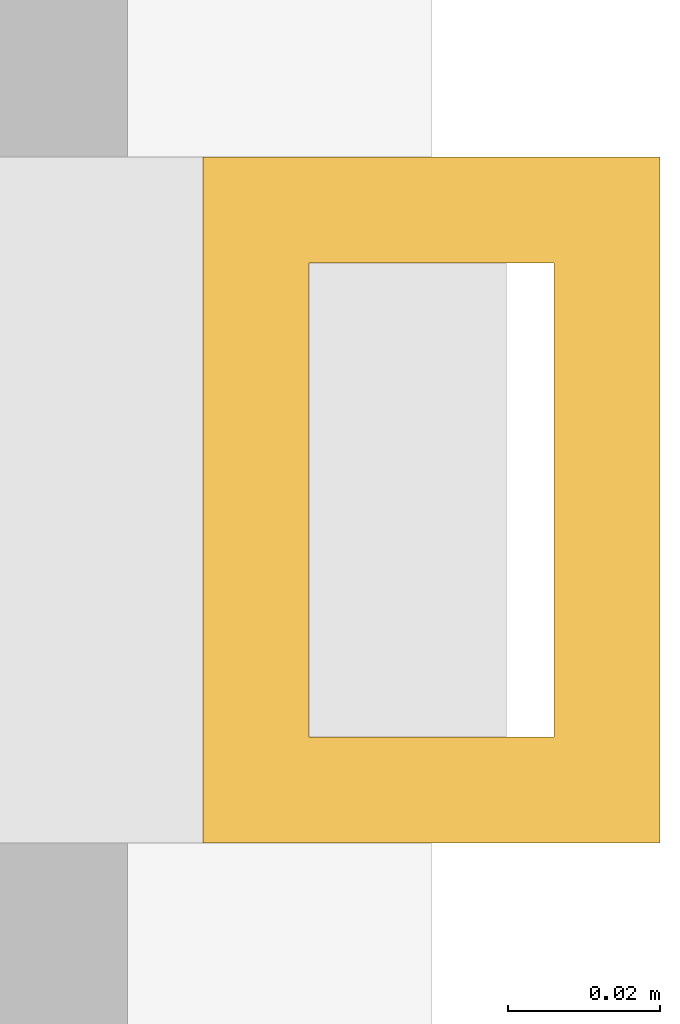
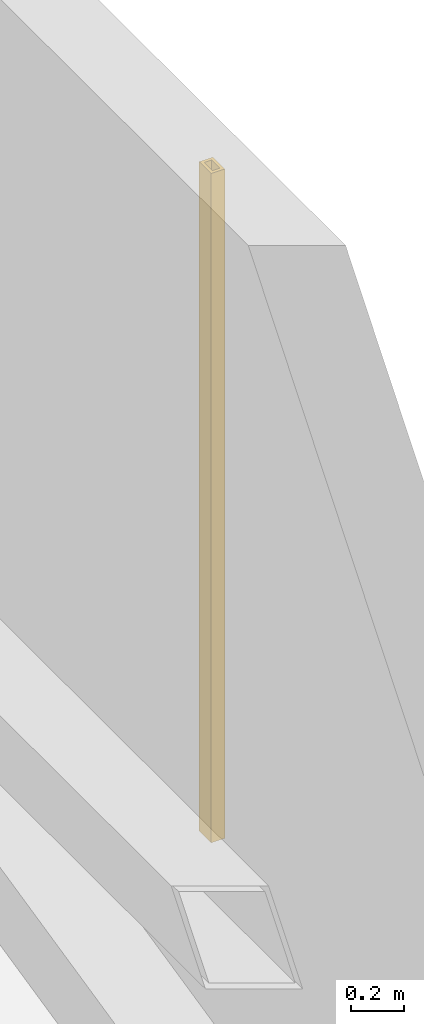
# One storey, part 28 of 28: 1 shading device.
"""IFC4 building model written with IfcOpenShell, lengths in metres."""

from ifc_helpers import new_model, si_unit, direction, frame, origin, origin_2d, place, context, subcontext, project, spatial, hollow_rectangle, extrude, material, material_profile, profile_set, type_object, element, save


model = new_model("IFC4")

# Units and contexts
model_context = context("Model", 3, precision=1e-05, world=origin(), true_north=direction((0.0, 1.0)))
body_context = subcontext(model_context, "Body", "Model", "MODEL_VIEW")
ifc_project = project(units=[si_unit("LENGTHUNIT", "METRE"), si_unit("AREAUNIT", "SQUARE_METRE"), si_unit("VOLUMEUNIT", "CUBIC_METRE"), si_unit("PLANEANGLEUNIT", "RADIAN"), si_unit("MASSUNIT", "GRAM", prefix="KILO")], contexts=[model_context])

# Site, building, storey
site_placement = place(None, origin())
site = spatial("IfcSite", under=ifc_project, at=site_placement, CompositionType="ELEMENT")
building_placement = place(site_placement, origin())
building = spatial("IfcBuilding", under=site, at=building_placement, Name="Punatoya Terracotta Tower", CompositionType="ELEMENT")
storey_placement = place(building_placement, frame((0.0, 0.0, 317.39990234375)))
storey = spatial("IfcBuildingStorey", under=building, at=storey_placement, Name="L75", CompositionType="ELEMENT", Elevation=317.39990234375)

# Shading device
ifc_material = material(Name="Architectural Fired Terracotta", Category="masonry")
ifc_material_profile = material_profile(ifc_material, hollow_rectangle(XDim=0.06005859375, YDim=0.090087890625, WallThickness=0.013916015625, at=origin_2d()))
ifc_profile_set = profile_set([ifc_material_profile], Name="Architectural Fired Terracotta")
shading_device_type = type_object("IfcShadingDeviceType", Name="SHD-JALI-90", PredefinedType="JALOUSIE", material=ifc_profile_set)
shading_device_placement = place(storey_placement, frame((20.25, 9.093505859375, 0.60009765625), z_axis=(0.0, 0.0, 1.0), x_axis=(1.0, 0.0, 0.0)))
element("IfcShadingDevice", 1, at=shading_device_placement, inside=storey, type_object=shading_device_type, Name="L75 Braced Bay Terracotta Jali Fin E2", PredefinedType="JALOUSIE", context=body_context, shape_type="SweptSolid", body=[
    extrude(hollow_rectangle(XDim=0.06005859375, YDim=0.090087890625, WallThickness=0.013916015625, at=origin_2d()), origin(), (0.0, 0.0, 1.0), 3.10009765625),
])

save(model, "model.ifc")
